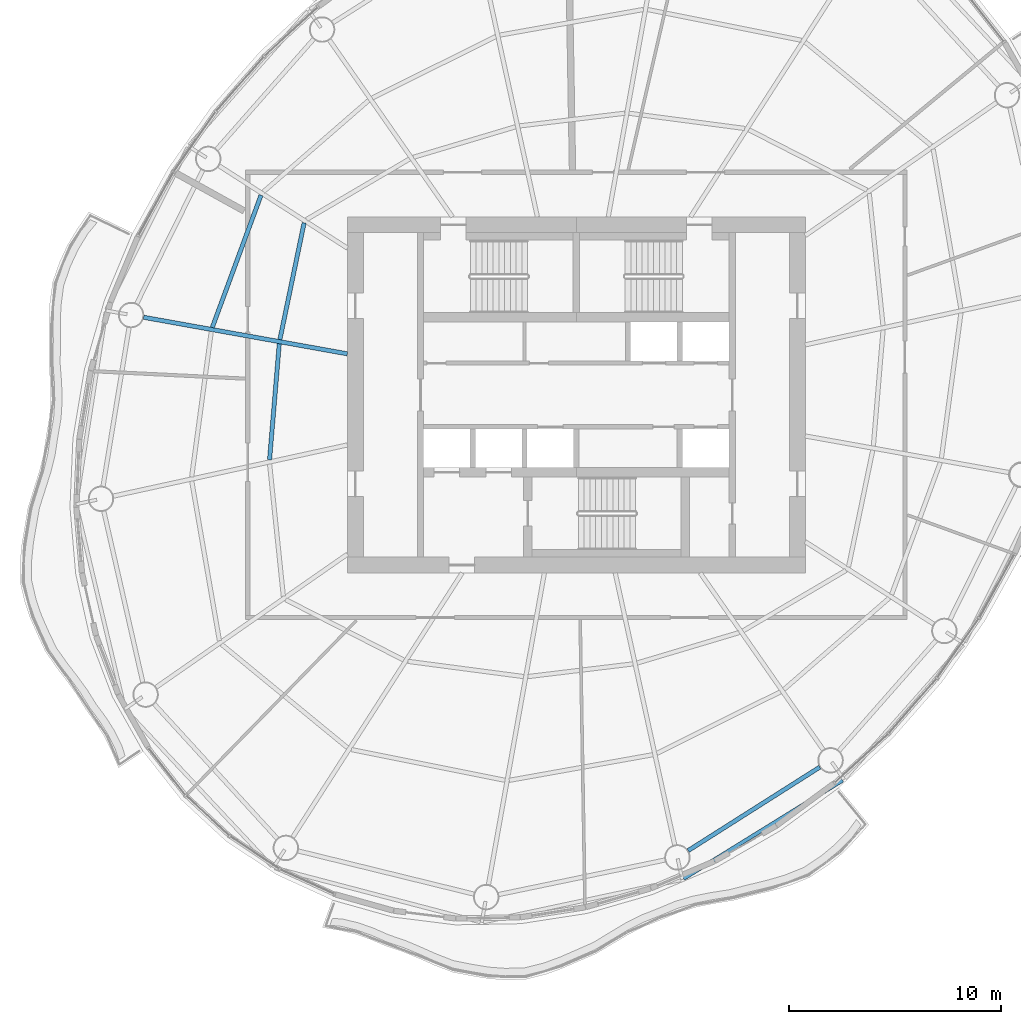
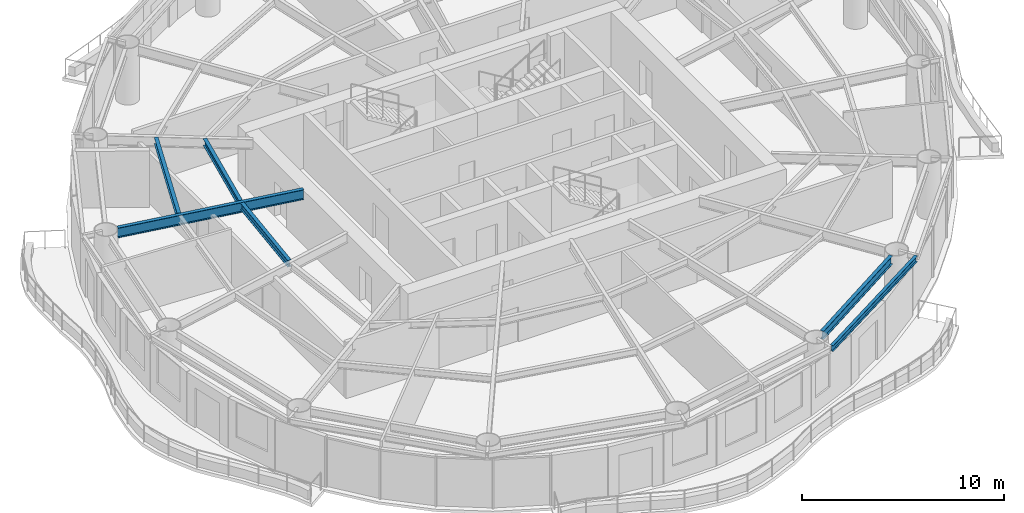
# One storey, part 3 of 14: 6 beams.
"""IFC4 building model written with IfcOpenShell, lengths in metres."""

import ifcopenshell
import ifcopenshell.guid

model = None  # the IFC model being written
_history = None  # IfcOwnerHistory: only IFC2X3 demands one
_inside = {}  # id of a spatial element -> (the spatial element, [elements in it])
_under = {}  # id of a project, library or spatial element -> (it, [spatial elements below it])
_declared = {}  # id of a project -> (the project, [libraries it declares])
_typed = {}  # id of a type object -> (the type object, [elements of that type])
_made_of = {}  # id of a material, layer set ... -> (it, [elements and type objects made of it])


def new_model(schema):
    """Start an empty IFC model of exactly this schema.

    Asked for "IFC4X3", IfcOpenShell would pick the latest addendum, in which some entities
    have other attributes; the version numbers below select the first issue.
    IFC2X3 requires an IfcOwnerHistory on every rooted entity: one is made here for all.
    """
    global model, _history
    if schema == "IFC4X3":
        model = ifcopenshell.file(schema_version=(4, 3, 0, 0))
    else:
        model = ifcopenshell.file(schema=schema)
    _inside.clear()
    _under.clear()
    _declared.clear()
    _typed.clear()
    _made_of.clear()
    _history = None
    if model.schema == "IFC2X3":
        org = make("IfcOrganization", Name="unknown")
        user = make(
            "IfcPersonAndOrganization",
            ThePerson=make("IfcPerson", FamilyName="unknown"),
            TheOrganization=org,
        )
        app = make(
            "IfcApplication",
            ApplicationDeveloper=org,
            Version="unknown",
            ApplicationFullName="unknown",
            ApplicationIdentifier="unknown",
        )
        _history = make(
            "IfcOwnerHistory",
            OwningUser=user,
            OwningApplication=app,
            ChangeAction="ADDED",
            CreationDate=0,
        )
    return model


def make(cls, **values):
    """One entity of the class cls with the attributes given. An attribute that is None is left unset."""
    return model.create_entity(
        cls, **{name: value for name, value in values.items() if value is not None}
    )


def rooted(cls, **values):
    """An entity with a GlobalId (a new one), such as an element, a storey or a relation."""
    return make(cls, GlobalId=ifcopenshell.guid.new(), OwnerHistory=_history, **values)


def si_unit(unit_type, name, prefix=None):
    """IfcSIUnit, for example si_unit("LENGTHUNIT", "METRE", prefix="MILLI")."""
    return make("IfcSIUnit", UnitType=unit_type, Prefix=prefix, Name=name)


def assignment(units):
    """IfcUnitAssignment: the units of a project."""
    return None if units is None else make("IfcUnitAssignment", Units=units)


def point(xyz):
    """IfcCartesianPoint."""
    return None if xyz is None else make("IfcCartesianPoint", Coordinates=xyz)


def direction(xyz):
    """IfcDirection."""
    return None if xyz is None else make("IfcDirection", DirectionRatios=xyz)


def frame(location, z_axis=None, x_axis=None):
    """IfcAxis2Placement3D, a coordinate frame: its origin and axes. An axis left out is left unset."""
    return make(
        "IfcAxis2Placement3D",
        Location=point(location),
        Axis=direction(z_axis),
        RefDirection=direction(x_axis),
    )


def frame_2d(location, x_axis=None):
    """IfcAxis2Placement2D, a coordinate frame in the plane: its origin and x axis."""
    return make(
        "IfcAxis2Placement2D", Location=point(location), RefDirection=direction(x_axis)
    )


def origin():
    """The frame at (0, 0, 0) with its axes left unset."""
    return frame((0.0, 0.0, 0.0))


def origin_2d():
    """The frame at (0, 0) in the plane with its x axis left unset."""
    return frame_2d((0.0, 0.0))


def place(relative_to, where):
    """IfcLocalPlacement: puts the frame where relative to a parent placement (None: the world)."""
    return make(
        "IfcLocalPlacement", PlacementRelTo=relative_to, RelativePlacement=where
    )


def context(
    kind, dimensions, precision=None, world=None, true_north=None, identifier=None
):
    """IfcGeometricRepresentationContext, for example the 3D "Model" context."""
    return make(
        "IfcGeometricRepresentationContext",
        ContextIdentifier=identifier,
        ContextType=kind,
        CoordinateSpaceDimension=dimensions,
        Precision=precision,
        WorldCoordinateSystem=world,
        TrueNorth=true_north,
    )


def subcontext(parent, identifier, kind, view, scale=None):
    """IfcGeometricRepresentationSubContext, for example "Body" below "Model"."""
    return make(
        "IfcGeometricRepresentationSubContext",
        ContextIdentifier=identifier,
        ContextType=kind,
        ParentContext=parent,
        TargetScale=scale,
        TargetView=view,
    )


def project(units=None, contexts=None):
    """IfcProject with its units and contexts."""
    return rooted(
        "IfcProject",
        Name="project",
        RepresentationContexts=contexts,
        UnitsInContext=assignment(units),
    )


def spatial(cls, under=None, at=None, **own):
    """A site, building, storey or space (cls), placed at a placement, below another one or the project."""
    s = rooted(cls, ObjectPlacement=at, **own)
    if under is not None:
        _under.setdefault(under.id(), (under, []))[1].append(s)
    return s


def profile(cls, at=None, kind="AREA", **sizes):
    """A parametric profile (cls). Its sizes go by their IFC names, for example OverallWidth=200.0."""
    return make(cls, ProfileType=kind, Position=at, **sizes)


def i_section(**sizes):
    """IfcIShapeProfileDef."""
    return profile("IfcIShapeProfileDef", **sizes)


def extrude(swept, where, along, depth):
    """IfcExtrudedAreaSolid: the profile swept, set in the frame where, extruded along a direction by depth."""
    return make(
        "IfcExtrudedAreaSolid",
        SweptArea=swept,
        Position=where,
        ExtrudedDirection=direction(along),
        Depth=depth,
    )


def shape(context_of_items, identifier, shape_type, items):
    """IfcShapeRepresentation: the items that make up one representation, for example the "Body"."""
    return make(
        "IfcShapeRepresentation",
        ContextOfItems=context_of_items,
        RepresentationIdentifier=identifier,
        RepresentationType=shape_type,
        Items=items,
    )


def material(Name=None, Category=None):
    """IfcMaterial."""
    return make("IfcMaterial", Name=Name, Category=Category)


def material_profile(
    of_material, cross_section, Name=None, Category=None, Priority=None
):
    """IfcMaterialProfile: a cross section and its material."""
    return make(
        "IfcMaterialProfile",
        Name=Name,
        Material=of_material,
        Profile=cross_section,
        Priority=Priority,
        Category=Category,
    )


def profile_set(profiles, Name=None, composite=None):
    """IfcMaterialProfileSet."""
    return make(
        "IfcMaterialProfileSet",
        Name=Name,
        MaterialProfiles=profiles,
        CompositeProfile=composite,
    )


def made_of(thing, what):
    """Note that an element or type object is made of a material, layer set ...; save() writes the relation."""
    if what is not None:
        _made_of.setdefault(what.id(), (what, []))[1].append(thing)
    return thing


def type_object(cls, material=None, **own):
    """A type object (cls), such as IfcWallType, which elements share."""
    return made_of(rooted(cls, **own), material)


def element(
    cls,
    number,
    at=None,
    inside=None,
    cuts=None,
    type_object=None,
    material=None,
    context=None,
    identifier="Body",
    shape_type=None,
    held_by="IfcProductDefinitionShape",
    body=None,
    shapes=None,
    **own,
):
    """One element of the class cls, such as IfcWall. Its Tag is "e" and its number.

    at: its placement. inside: the storey or other place that contains it. cuts: it is an
    opening in that element (IfcRelVoidsElement). A single representation is given by context,
    identifier, shape_type and body (its items); several are given by shapes. held_by: the class
    of the entity that holds the representations. save() writes the other relations.
    """
    e = rooted(cls, Tag="e%d" % number, ObjectPlacement=at, **own)
    if body is not None:
        shapes = [shape(context, identifier, shape_type, body)]
    if shapes is not None:
        e.Representation = make(held_by, Representations=shapes)
    if inside is not None:
        _inside.setdefault(inside.id(), (inside, []))[1].append(e)
    if cuts is not None:
        rooted(
            "IfcRelVoidsElement", RelatingBuildingElement=cuts, RelatedOpeningElement=e
        )
    if type_object is not None:
        _typed.setdefault(type_object.id(), (type_object, []))[1].append(e)
    return made_of(e, material)


def aggregate(whole, parts):
    """IfcRelAggregates: a whole, such as a stair, and the parts it consists of."""
    return rooted("IfcRelAggregates", RelatingObject=whole, RelatedObjects=parts)


def save(model, path):
    """Write the relations noted so far, then the file.

    IfcRelAggregates (storeys below a building ...), IfcRelContainedInSpatialStructure (elements
    in a storey), IfcRelDefinesByType, IfcRelAssociatesMaterial and IfcRelDeclares: one each for
    every whole, place, type object, material and project.
    """
    for whole, parts in _under.values():
        aggregate(whole, parts)
    for where, things in _inside.values():
        rooted(
            "IfcRelContainedInSpatialStructure",
            RelatedElements=things,
            RelatingStructure=where,
        )
    for kind, things in _typed.values():
        rooted("IfcRelDefinesByType", RelatedObjects=things, RelatingType=kind)
    for what, things in _made_of.values():
        rooted("IfcRelAssociatesMaterial", RelatedObjects=things, RelatingMaterial=what)
    for by, libraries in _declared.values():
        rooted("IfcRelDeclares", RelatingContext=by, RelatedDefinitions=libraries)
    model.write(path)


model = new_model("IFC4")

# Units and contexts
model_context = context("Model", 3, precision=1e-05, world=origin(), true_north=direction((0.0, 1.0)))
body_context = subcontext(model_context, "Body", "Model", "MODEL_VIEW")
ifc_project = project(units=[si_unit("LENGTHUNIT", "METRE"), si_unit("AREAUNIT", "SQUARE_METRE"), si_unit("VOLUMEUNIT", "CUBIC_METRE"), si_unit("PLANEANGLEUNIT", "RADIAN"), si_unit("MASSUNIT", "GRAM", prefix="KILO")], contexts=[model_context])

# Site, building, storey
site_placement = place(None, origin())
site = spatial("IfcSite", under=ifc_project, at=site_placement, CompositionType="ELEMENT")
building_placement = place(site_placement, origin())
building = spatial("IfcBuilding", under=site, at=building_placement, Name="Vermilion Reach Broadcast Tower", CompositionType="ELEMENT")
storey_placement = place(building_placement, frame((0.0, 0.0, 238.89990234375)))
storey = spatial("IfcBuildingStorey", under=building, at=storey_placement, Name="L59", CompositionType="ELEMENT", Elevation=238.89990234375)

# Beams
ifc_material_1 = material(Name="Steel S355J2", Category="steel")
ifc_material_profile_1 = material_profile(ifc_material_1, i_section(OverallWidth=0.175048828125, OverallDepth=0.35009765625, WebThickness=0.007080078125, FlangeThickness=0.010986328125, at=origin_2d()), Name="S355J2 HN 350x175x7x11")
ifc_profile_set_1 = profile_set([ifc_material_profile_1], Name="Steel S355J2")
beam_type_1 = type_object("IfcBeamType", Name="EB4 HN 350x175x7x11", PredefinedType="BEAM", material=ifc_profile_set_1)
beam_1_placement = place(storey_placement, frame((-0.935302734375, -22.8193359375, 3.22509765625), z_axis=(0.850503552638, 0.525969302289, 0.0), x_axis=(-0.525969302289, 0.850503552638, 0.0)))
element("IfcBeam", 1, at=beam_1_placement, inside=storey, type_object=beam_type_1, Name="Edge beam EB4-11", PredefinedType="BEAM", context=body_context, shape_type="SweptSolid", body=[
    extrude(i_section(OverallWidth=0.175048828125, OverallDepth=0.35009765625, WebThickness=0.007080078125, FlangeThickness=0.010986328125, at=origin_2d()), origin(), (0.0, 0.0, 1.0), 8.813720703125),
])
ifc_material_2 = material(Name="Steel S355J2", Category="steel")
ifc_material_profile_2 = material_profile(ifc_material_2, i_section(OverallWidth=0.199951171875, OverallDepth=0.60009765625, WebThickness=0.010986328125, FlangeThickness=0.01708984375, at=origin_2d()), Name="S355J2 HN 600x200x11x17")
ifc_profile_set_2 = profile_set([ifc_material_profile_2], Name="Steel S355J2")
beam_type_2 = type_object("IfcBeamType", Name="G4 HN 600x200x11x17", PredefinedType="BEAM", material=ifc_profile_set_2)
beam_2_placement = place(storey_placement, frame((-16.800048828125, 1.9375, 3.10009765625), z_axis=(-0.984291153273, 0.176552897422, 0.0), x_axis=(-0.176552897422, -0.984291153273, 0.0)))
element("IfcBeam", 2, at=beam_2_placement, inside=storey, type_object=beam_type_2, Name="Girder G4-06", PredefinedType="BEAM", context=body_context, shape_type="SweptSolid", body=[
    extrude(i_section(OverallWidth=0.199951171875, OverallDepth=0.60009765625, WebThickness=0.010986328125, FlangeThickness=0.01708984375, at=origin_2d()), origin(), (0.0, 0.0, 1.0), 9.765380859375),
])
ifc_material_3 = material(Name="Steel S355J2", Category="steel")
ifc_material_profile_3 = material_profile(ifc_material_3, i_section(OverallWidth=0.199951171875, OverallDepth=0.5, WebThickness=0.010009765625, FlangeThickness=0.01611328125, at=origin_2d()), Name="S355J2 HN 500x200x10x16")
ifc_profile_set_3 = profile_set([ifc_material_profile_3], Name="Steel S355J2")
beam_type_3 = type_object("IfcBeamType", Name="RB4 HN 500x200x10x16", PredefinedType="BEAM", material=ifc_profile_set_3)
beam_3_placement = place(storey_placement, frame((-0.72412109375, -21.497314453125, 3.150146484375), z_axis=(0.84446426774, 0.535611893549, 0.0), x_axis=(-0.535611893549, 0.84446426774, 0.0)))
element("IfcBeam", 3, at=beam_3_placement, inside=storey, type_object=beam_type_3, Name="Ring beam RB4-11", PredefinedType="BEAM", context=body_context, shape_type="SweptSolid", body=[
    extrude(i_section(OverallWidth=0.199951171875, OverallDepth=0.5, WebThickness=0.010009765625, FlangeThickness=0.01611328125, at=origin_2d()), origin(), (0.0, 0.0, 1.0), 7.3544921875),
])
ifc_material_4 = material(Name="Steel S355J2", Category="steel")
ifc_material_profile_4 = material_profile(ifc_material_4, i_section(OverallWidth=0.199951171875, OverallDepth=0.39990234375, WebThickness=0.008056640625, FlangeThickness=0.012939453125, at=origin_2d()), Name="S355J2 HN 400x200x8x13")
ifc_profile_set_4 = profile_set([ifc_material_profile_4], Name="Steel S355J2")
beam_type_4 = type_object("IfcBeamType", Name="SB4 HN 400x200x8x13", PredefinedType="BEAM", material=ifc_profile_set_4)
beam_4_placement = place(storey_placement, frame((-18.841064453125, 8.115478515625, 3.2001953125), z_axis=(-0.20320860258, -0.979135467562, 0.0), x_axis=(0.979135467562, -0.20320860258, 0.0)))
element("IfcBeam", 4, at=beam_4_placement, inside=storey, type_object=beam_type_4, Name="Secondary beam SB4-05-1", PredefinedType="BEAM", context=body_context, shape_type="SweptSolid", body=[
    extrude(i_section(OverallWidth=0.199951171875, OverallDepth=0.39990234375, WebThickness=0.008056640625, FlangeThickness=0.012939453125, at=origin_2d()), origin(), (0.0, 0.0, 1.0), 5.622802734375),
])
beam_5_placement = place(storey_placement, frame((-20.8740234375, 9.419189453125, 3.2001953125), z_axis=(-0.345833008621, -0.938296078084, 0.0), x_axis=(0.938296078084, -0.345833008621, 0.0)))
element("IfcBeam", 5, at=beam_5_placement, inside=storey, type_object=beam_type_4, Name="Secondary beam SB4-05-2", PredefinedType="BEAM", context=body_context, shape_type="SweptSolid", body=[
    extrude(i_section(OverallWidth=0.199951171875, OverallDepth=0.39990234375, WebThickness=0.008056640625, FlangeThickness=0.012939453125, at=origin_2d()), origin(), (0.0, 0.0, 1.0), 6.647216796875),
])
beam_6_placement = place(storey_placement, frame((-20.012451171875, 2.412109375, 3.2001953125), z_axis=(-0.08339866655, -0.996516262997, 0.0), x_axis=(0.996516262997, -0.08339866655, 0.0)))
element("IfcBeam", 6, at=beam_6_placement, inside=storey, type_object=beam_type_4, Name="Secondary beam SB4-06-1", PredefinedType="BEAM", context=body_context, shape_type="SweptSolid", body=[
    extrude(i_section(OverallWidth=0.199951171875, OverallDepth=0.39990234375, WebThickness=0.008056640625, FlangeThickness=0.012939453125, at=origin_2d()), origin(), (0.0, 0.0, 1.0), 5.49169921875),
])

save(model, "model.ifc")
